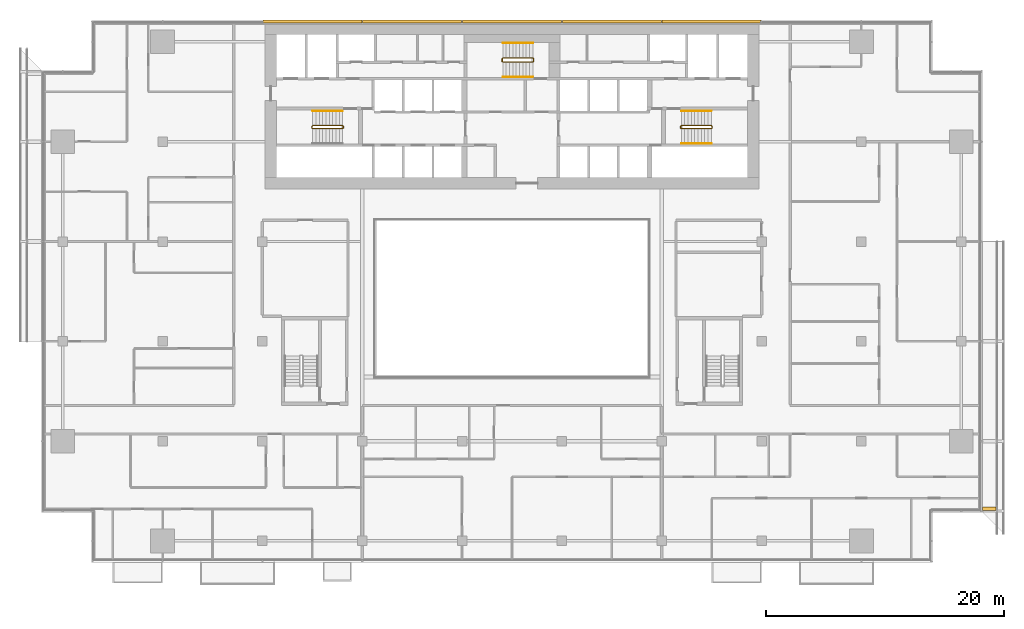
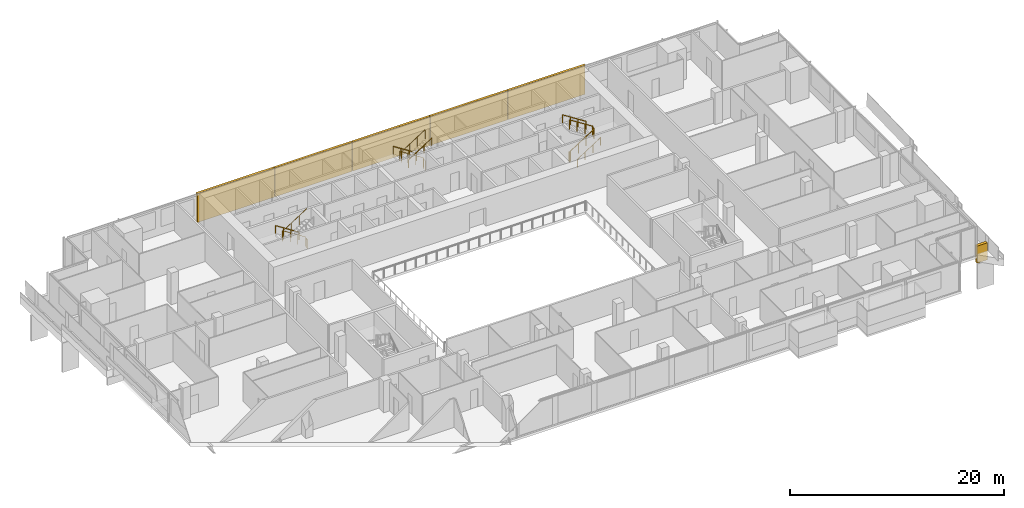
# One storey, part 26 of 27: 8 railings, 6 coverings.
"""IFC4 building model written with IfcOpenShell, lengths in metres."""

from ifc_helpers import new_model, si_unit, direction, frame, origin, origin_2d, place, context, subcontext, project, spatial, polyline, rectangle, circle, outline, extrude, material, layer, layer_set, type_object, element, save


model = new_model("IFC4")

# Units and contexts
model_context = context("Model", 3, precision=1e-05, world=origin(), true_north=direction((0.0, 1.0)))
body_context = subcontext(model_context, "Body", "Model", "MODEL_VIEW")
ifc_project = project(units=[si_unit("LENGTHUNIT", "METRE"), si_unit("AREAUNIT", "SQUARE_METRE"), si_unit("VOLUMEUNIT", "CUBIC_METRE"), si_unit("PLANEANGLEUNIT", "RADIAN"), si_unit("MASSUNIT", "GRAM", prefix="KILO")], contexts=[model_context])

# Site, building, storey
site_placement = place(None, origin())
site = spatial("IfcSite", under=ifc_project, at=site_placement, CompositionType="ELEMENT")
building_placement = place(site_placement, origin())
building = spatial("IfcBuilding", under=site, at=building_placement, Name="Saffron Gate Tower", CompositionType="ELEMENT")
storey_placement = place(building_placement, frame((0.0, 0.0, 109.64990234375)))
storey = spatial("IfcBuildingStorey", under=building, at=storey_placement, Name="L25", CompositionType="ELEMENT", Elevation=109.64990234375)

# Coverings
ifc_material_1 = material(Name="Ceramic-printed bronze insulated panel")
ifc_layer_1 = layer(ifc_material_1, 0.239990234375)
ifc_layer_set_1 = layer_set([ifc_layer_1], Name="CLD2 ceramic-printed cladding panel 240")
covering_type_1 = type_object("IfcCoveringType", Name="CLD2 ceramic-printed cladding panel 240", PredefinedType="CLADDING", material=ifc_layer_set_1)
covering_1_placement = place(storey_placement, origin())
element("IfcCovering", 1, at=covering_1_placement, inside=storey, type_object=covering_type_1, Name="CLADDING ceramic-printed panel", PredefinedType="CLADDING", context=body_context, shape_type="SweptSolid", body=[
    extrude(outline(polyline([(108.56494140625, 75.639892578125), (100.235107421875, 75.639892578125), (100.235107421875, 75.39990234375), (108.56494140625, 75.39990234375), (108.56494140625, 75.639892578125)])), origin(), (0.0, 0.0, 1.0), 3.320068359375),
])
covering_2_placement = place(storey_placement, origin())
element("IfcCovering", 2, at=covering_2_placement, inside=storey, type_object=covering_type_1, Name="CLADDING ceramic-printed panel", PredefinedType="CLADDING", context=body_context, shape_type="SweptSolid", body=[
    extrude(outline(polyline([(100.1650390625, 75.639892578125), (91.8349609375, 75.639892578125), (91.8349609375, 75.39990234375), (100.1650390625, 75.39990234375), (100.1650390625, 75.639892578125)])), origin(), (0.0, 0.0, 1.0), 3.320068359375),
])
covering_3_placement = place(storey_placement, origin())
element("IfcCovering", 3, at=covering_3_placement, inside=storey, type_object=covering_type_1, Name="CLADDING ceramic-printed panel", PredefinedType="CLADDING", context=body_context, shape_type="SweptSolid", body=[
    extrude(outline(polyline([(91.764892578125, 75.639892578125), (83.43505859375, 75.639892578125), (83.43505859375, 75.39990234375), (91.764892578125, 75.39990234375), (91.764892578125, 75.639892578125)])), origin(), (0.0, 0.0, 1.0), 3.320068359375),
])
covering_4_placement = place(storey_placement, origin())
element("IfcCovering", 4, at=covering_4_placement, inside=storey, type_object=covering_type_1, Name="CLADDING ceramic-printed panel", PredefinedType="CLADDING", context=body_context, shape_type="SweptSolid", body=[
    extrude(outline(polyline([(83.364990234375, 75.639892578125), (75.034912109375, 75.639892578125), (75.034912109375, 75.39990234375), (83.364990234375, 75.39990234375), (83.364990234375, 75.639892578125)])), origin(), (0.0, 0.0, 1.0), 3.320068359375),
])
covering_5_placement = place(storey_placement, origin())
element("IfcCovering", 5, at=covering_5_placement, inside=storey, type_object=covering_type_1, Name="CLADDING ceramic-printed panel", PredefinedType="CLADDING", context=body_context, shape_type="SweptSolid", body=[
    extrude(outline(polyline([(74.965087890625, 75.639892578125), (66.635009765625, 75.639892578125), (66.635009765625, 75.39990234375), (74.965087890625, 75.39990234375), (74.965087890625, 75.639892578125)])), origin(), (0.0, 0.0, 1.0), 3.320068359375),
])

# Railings
ifc_material_2 = material(Name="Stainless steel and laminated glass", Category="steel")
railing_type_1 = type_object("IfcRailingType", Name="CR1 Stair guard 1100", PredefinedType="GUARDRAIL", material=ifc_material_2)
railing_1_placement = place(storey_placement, frame((73.39990234375, 66.550048828125, 0.0)))
element("IfcRailing", 6, at=railing_1_placement, inside=storey, type_object=railing_type_1, Name="L25 ST-A stair guard 1", PredefinedType="GUARDRAIL", context=body_context, shape_type="SweptSolid", body=[
    extrude(circle(Radius=0.02392578125, at=origin_2d()), frame((0.0, 0.0, 1.076171875), z_axis=(0.0, 1.0, 0.0), x_axis=(-1.0, 0.0, 0.0)), (0.0, 0.0, 1.0), 0.14990234375),
    extrude(circle(Radius=0.02392578125, at=origin_2d()), frame((0.0, 0.14990234375, 1.076171875), z_axis=(-0.257366384619, 0.258627984543, 0.931060744355), x_axis=(-0.708833529934, -0.705375805398, 0.0)), (0.0, 0.0, 1.0), 0.193603515625),
    extrude(circle(Radius=0.02392578125, at=origin_2d()), frame((-0.0498046875, 0.199951171875, 1.25634765625), z_axis=(-0.841199657755, 0.0, 0.540724639528), x_axis=(0.0, -1.0, 0.0)), (0.0, 0.0, 1.0), 2.995849609375),
    extrude(circle(Radius=0.02392578125, at=origin_2d()), frame((-2.56982421875, 0.199951171875, 2.8759765625), z_axis=(-0.707106781187, -0.707106781187, 0.0), x_axis=(0.707106781187, -0.707106781187, 0.0)), (0.0, 0.0, 1.0), 0.07080078125),
    extrude(circle(Radius=0.02392578125, at=origin_2d()), frame((-2.619873046875, 0.14990234375, 2.8759765625), z_axis=(0.0, -1.0, 0.0), x_axis=(1.0, 0.0, 0.0)), (0.0, 0.0, 1.0), 0.14990234375),
    extrude(circle(Radius=0.02392578125, at=origin_2d()), frame((-2.619873046875, 0.0, 2.8759765625), z_axis=(0.258847668887, -0.258847668887, 0.930588936439), x_axis=(0.707106781187, 0.707106781187, 0.0)), (0.0, 0.0, 1.0), 0.193359375),
    extrude(circle(Radius=0.02392578125, at=origin_2d()), frame((-2.56982421875, -0.050048828125, 3.05615234375), z_axis=(0.841162588446, 0.0, 0.540782303519), x_axis=(0.0, 1.0, 0.0)), (0.0, 0.0, 1.0), 2.995849609375),
    extrude(circle(Radius=0.02099609375, at=origin_2d()), origin(), (0.0, 0.0, 1.0), 1.052001953125),
    extrude(circle(Radius=0.02099609375, at=origin_2d()), frame((0.0, 0.14990234375, 0.0)), (0.0, 0.0, 1.0), 1.052001953125),
    extrude(circle(Radius=0.02099609375, at=origin_2d()), frame((-0.0498046875, 0.199951171875, 0.18017578125)), (0.0, 0.0, 1.0), 1.052001953125),
    extrude(circle(Radius=0.02099609375, at=origin_2d()), frame((-0.889892578125, 0.199951171875, 0.72021484375)), (0.0, 0.0, 1.0), 1.052001953125),
    extrude(circle(Radius=0.02099609375, at=origin_2d()), frame((-1.729736328125, 0.199951171875, 1.260009765625)), (0.0, 0.0, 1.0), 1.052001953125),
    extrude(circle(Radius=0.02099609375, at=origin_2d()), frame((-2.56982421875, 0.199951171875, 1.800048828125)), (0.0, 0.0, 1.0), 1.052001953125),
    extrude(circle(Radius=0.02099609375, at=origin_2d()), frame((-2.619873046875, 0.14990234375, 1.800048828125)), (0.0, 0.0, 1.0), 1.052001953125),
    extrude(circle(Radius=0.02099609375, at=origin_2d()), frame((-2.619873046875, 0.0, 1.800048828125)), (0.0, 0.0, 1.0), 1.052001953125),
    extrude(circle(Radius=0.02099609375, at=origin_2d()), frame((-2.56982421875, -0.050048828125, 1.97998046875)), (0.0, 0.0, 1.0), 1.052001953125),
    extrude(circle(Radius=0.02099609375, at=origin_2d()), frame((-1.729736328125, -0.050048828125, 2.52001953125)), (0.0, 0.0, 1.0), 1.052001953125),
    extrude(circle(Radius=0.02099609375, at=origin_2d()), frame((-0.889892578125, -0.050048828125, 3.06005859375)), (0.0, 0.0, 1.0), 1.052001953125),
    extrude(circle(Radius=0.02099609375, at=origin_2d()), frame((-0.0498046875, -0.050048828125, 3.60009765625)), (0.0, 0.0, 1.0), 1.052001953125),
])
railing_2_placement = place(storey_placement, frame((101.800048828125, 66.699951171875, 0.0)))
element("IfcRailing", 7, at=railing_2_placement, inside=storey, type_object=railing_type_1, Name="L25 ST-B stair guard 1", PredefinedType="GUARDRAIL", context=body_context, shape_type="SweptSolid", body=[
    extrude(circle(Radius=0.02392578125, at=origin_2d()), frame((0.0, 0.0, 1.076171875), z_axis=(0.0, -1.0, 0.0), x_axis=(1.0, 0.0, 0.0)), (0.0, 0.0, 1.0), 0.14990234375),
    extrude(circle(Radius=0.02392578125, at=origin_2d()), frame((0.0, -0.14990234375, 1.076171875), z_axis=(0.258543844998, -0.258543844998, 0.930757841991), x_axis=(0.707106781187, 0.707106781187, 0.0)), (0.0, 0.0, 1.0), 0.193603515625),
    extrude(circle(Radius=0.02392578125, at=origin_2d()), frame((0.050048828125, -0.199951171875, 1.25634765625), z_axis=(0.841199657755, 0.0, 0.540724639528), x_axis=(0.0, 1.0, 0.0)), (0.0, 0.0, 1.0), 2.995849609375),
    extrude(circle(Radius=0.02392578125, at=origin_2d()), frame((2.570068359375, -0.199951171875, 2.8759765625), z_axis=(0.705375805398, 0.708833529934, 0.0), x_axis=(-0.708833529934, 0.705375805398, 0.0)), (0.0, 0.0, 1.0), 0.070556640625),
    extrude(circle(Radius=0.02392578125, at=origin_2d()), frame((2.619873046875, -0.14990234375, 2.8759765625), z_axis=(0.0, 1.0, 0.0), x_axis=(-1.0, 0.0, 0.0)), (0.0, 0.0, 1.0), 0.14990234375),
    extrude(circle(Radius=0.02392578125, at=origin_2d()), frame((2.619873046875, 0.0, 2.8759765625), z_axis=(-0.257669022063, 0.258932105505, 0.930892496375), x_axis=(-0.708833529934, -0.705375805398, 0.0)), (0.0, 0.0, 1.0), 0.193359375),
    extrude(circle(Radius=0.02392578125, at=origin_2d()), frame((2.570068359375, 0.050048828125, 3.05615234375), z_axis=(-0.841162588446, 0.0, 0.540782303519), x_axis=(0.0, -1.0, 0.0)), (0.0, 0.0, 1.0), 2.995849609375),
    extrude(circle(Radius=0.02099609375, at=origin_2d()), origin(), (0.0, 0.0, 1.0), 1.052001953125),
    extrude(circle(Radius=0.02099609375, at=origin_2d()), frame((0.0, -0.14990234375, 0.0)), (0.0, 0.0, 1.0), 1.052001953125),
    extrude(circle(Radius=0.02099609375, at=origin_2d()), frame((0.050048828125, -0.199951171875, 0.18017578125)), (0.0, 0.0, 1.0), 1.052001953125),
    extrude(circle(Radius=0.02099609375, at=origin_2d()), frame((0.89013671875, -0.199951171875, 0.72021484375)), (0.0, 0.0, 1.0), 1.052001953125),
    extrude(circle(Radius=0.02099609375, at=origin_2d()), frame((1.72998046875, -0.199951171875, 1.260009765625)), (0.0, 0.0, 1.0), 1.052001953125),
    extrude(circle(Radius=0.02099609375, at=origin_2d()), frame((2.570068359375, -0.199951171875, 1.800048828125)), (0.0, 0.0, 1.0), 1.052001953125),
    extrude(circle(Radius=0.02099609375, at=origin_2d()), frame((2.619873046875, -0.14990234375, 1.800048828125)), (0.0, 0.0, 1.0), 1.052001953125),
    extrude(circle(Radius=0.02099609375, at=origin_2d()), frame((2.619873046875, 0.0, 1.800048828125)), (0.0, 0.0, 1.0), 1.052001953125),
    extrude(circle(Radius=0.02099609375, at=origin_2d()), frame((2.570068359375, 0.050048828125, 1.97998046875)), (0.0, 0.0, 1.0), 1.052001953125),
    extrude(circle(Radius=0.02099609375, at=origin_2d()), frame((1.72998046875, 0.050048828125, 2.52001953125)), (0.0, 0.0, 1.0), 1.052001953125),
    extrude(circle(Radius=0.02099609375, at=origin_2d()), frame((0.89013671875, 0.050048828125, 3.06005859375)), (0.0, 0.0, 1.0), 1.052001953125),
    extrude(circle(Radius=0.02099609375, at=origin_2d()), frame((0.050048828125, 0.050048828125, 3.60009765625)), (0.0, 0.0, 1.0), 1.052001953125),
])
railing_3_placement = place(storey_placement, frame((89.39990234375, 72.14990234375, 0.0)))
element("IfcRailing", 8, at=railing_3_placement, inside=storey, type_object=railing_type_1, Name="L25 ST-C stair guard 1", PredefinedType="GUARDRAIL", context=body_context, shape_type="SweptSolid", body=[
    extrude(circle(Radius=0.02392578125, at=origin_2d()), frame((0.0, 0.0, 1.076171875), z_axis=(0.0, 1.0, 0.0), x_axis=(-1.0, 0.0, 0.0)), (0.0, 0.0, 1.0), 0.25),
    extrude(circle(Radius=0.02392578125, at=origin_2d()), frame((0.0, 0.25, 1.076171875), z_axis=(-0.257366384619, 0.258627984543, 0.931060744355), x_axis=(-0.708833529934, -0.705375805398, 0.0)), (0.0, 0.0, 1.0), 0.193603515625),
    extrude(circle(Radius=0.02392578125, at=origin_2d()), frame((-0.0498046875, 0.300048828125, 1.25634765625), z_axis=(-0.841199657755, 0.0, 0.540724639528), x_axis=(0.0, -1.0, 0.0)), (0.0, 0.0, 1.0), 2.995849609375),
    extrude(circle(Radius=0.02392578125, at=origin_2d()), frame((-2.56982421875, 0.300048828125, 2.8759765625), z_axis=(-0.707106781187, -0.707106781187, 0.0), x_axis=(0.707106781187, -0.707106781187, 0.0)), (0.0, 0.0, 1.0), 0.07080078125),
    extrude(circle(Radius=0.02392578125, at=origin_2d()), frame((-2.619873046875, 0.25, 2.8759765625), z_axis=(0.0, -1.0, 0.0), x_axis=(1.0, 0.0, 0.0)), (0.0, 0.0, 1.0), 0.25),
    extrude(circle(Radius=0.02392578125, at=origin_2d()), frame((-2.619873046875, 0.0, 2.8759765625), z_axis=(0.258932105505, -0.257669022063, 0.930892496375), x_axis=(0.705375805398, 0.708833529934, 0.0)), (0.0, 0.0, 1.0), 0.193359375),
    extrude(circle(Radius=0.02392578125, at=origin_2d()), frame((-2.56982421875, -0.0498046875, 3.05615234375), z_axis=(0.841162588446, 0.0, 0.540782303519), x_axis=(0.0, 1.0, 0.0)), (0.0, 0.0, 1.0), 2.995849609375),
    extrude(circle(Radius=0.02099609375, at=origin_2d()), origin(), (0.0, 0.0, 1.0), 1.052001953125),
    extrude(circle(Radius=0.02099609375, at=origin_2d()), frame((0.0, 0.25, 0.0)), (0.0, 0.0, 1.0), 1.052001953125),
    extrude(circle(Radius=0.02099609375, at=origin_2d()), frame((-0.0498046875, 0.300048828125, 0.18017578125)), (0.0, 0.0, 1.0), 1.052001953125),
    extrude(circle(Radius=0.02099609375, at=origin_2d()), frame((-0.889892578125, 0.300048828125, 0.72021484375)), (0.0, 0.0, 1.0), 1.052001953125),
    extrude(circle(Radius=0.02099609375, at=origin_2d()), frame((-1.729736328125, 0.300048828125, 1.260009765625)), (0.0, 0.0, 1.0), 1.052001953125),
    extrude(circle(Radius=0.02099609375, at=origin_2d()), frame((-2.56982421875, 0.300048828125, 1.800048828125)), (0.0, 0.0, 1.0), 1.052001953125),
    extrude(circle(Radius=0.02099609375, at=origin_2d()), frame((-2.619873046875, 0.25, 1.800048828125)), (0.0, 0.0, 1.0), 1.052001953125),
    extrude(circle(Radius=0.02099609375, at=origin_2d()), frame((-2.619873046875, 0.0, 1.800048828125)), (0.0, 0.0, 1.0), 1.052001953125),
    extrude(circle(Radius=0.02099609375, at=origin_2d()), frame((-2.56982421875, -0.0498046875, 1.97998046875)), (0.0, 0.0, 1.0), 1.052001953125),
    extrude(circle(Radius=0.02099609375, at=origin_2d()), frame((-1.729736328125, -0.0498046875, 2.52001953125)), (0.0, 0.0, 1.0), 1.052001953125),
    extrude(circle(Radius=0.02099609375, at=origin_2d()), frame((-0.889892578125, -0.0498046875, 3.06005859375)), (0.0, 0.0, 1.0), 1.052001953125),
    extrude(circle(Radius=0.02099609375, at=origin_2d()), frame((-0.0498046875, -0.0498046875, 3.60009765625)), (0.0, 0.0, 1.0), 1.052001953125),
])
ifc_material_3 = material(Name="Stainless steel", Category="steel")
railing_type_2 = type_object("IfcRailingType", Name="CR2 Stair handrail 900", PredefinedType="HANDRAIL", material=ifc_material_3)
railing_4_placement = place(storey_placement, frame((73.35009765625, 68.0, 0.18017578125)))
element("IfcRailing", 9, at=railing_4_placement, inside=storey, type_object=railing_type_2, Name="L25 ST-A stair handrail 1", PredefinedType="HANDRAIL", context=body_context, shape_type="SweptSolid", body=[
    extrude(circle(Radius=0.02392578125, at=origin_2d()), frame((0.0, 0.0, 0.8759765625), z_axis=(-0.841199657755, 0.0, 0.540724639528), x_axis=(0.0, -1.0, 0.0)), (0.0, 0.0, 1.0), 2.995849609375),
    extrude(circle(Radius=0.02099609375, at=origin_2d()), origin(), (0.0, 0.0, 1.0), 0.851806640625),
    extrude(circle(Radius=0.02099609375, at=origin_2d()), frame((-0.840087890625, 0.0, 0.5400390625)), (0.0, 0.0, 1.0), 0.851806640625),
    extrude(circle(Radius=0.02099609375, at=origin_2d()), frame((-1.679931640625, 0.0, 1.079833984375)), (0.0, 0.0, 1.0), 0.851806640625),
    extrude(circle(Radius=0.02099609375, at=origin_2d()), frame((-2.52001953125, 0.0, 1.619873046875)), (0.0, 0.0, 1.0), 0.851806640625),
])
railing_5_placement = place(storey_placement, frame((101.85009765625, 65.25, 0.18017578125)))
element("IfcRailing", 10, at=railing_5_placement, inside=storey, type_object=railing_type_2, Name="L25 ST-B stair handrail 1", PredefinedType="HANDRAIL", context=body_context, shape_type="SweptSolid", body=[
    extrude(circle(Radius=0.02392578125, at=origin_2d()), frame((0.0, 0.0, 0.8759765625), z_axis=(0.841199657755, 0.0, 0.540724639528), x_axis=(0.0, 1.0, 0.0)), (0.0, 0.0, 1.0), 2.995849609375),
    extrude(circle(Radius=0.02099609375, at=origin_2d()), origin(), (0.0, 0.0, 1.0), 0.851806640625),
    extrude(circle(Radius=0.02099609375, at=origin_2d()), frame((0.840087890625, 0.0, 0.5400390625)), (0.0, 0.0, 1.0), 0.851806640625),
    extrude(circle(Radius=0.02099609375, at=origin_2d()), frame((1.679931640625, 0.0, 1.079833984375)), (0.0, 0.0, 1.0), 0.851806640625),
    extrude(circle(Radius=0.02099609375, at=origin_2d()), frame((2.52001953125, 0.0, 1.619873046875)), (0.0, 0.0, 1.0), 0.851806640625),
])
railing_6_placement = place(storey_placement, frame((104.3701171875, 68.0, 1.97998046875)))
element("IfcRailing", 11, at=railing_6_placement, inside=storey, type_object=railing_type_2, Name="L25 ST-B stair handrail 2", PredefinedType="HANDRAIL", context=body_context, shape_type="SweptSolid", body=[
    extrude(circle(Radius=0.02392578125, at=origin_2d()), frame((0.0, 0.0, 0.8759765625), z_axis=(-0.841162588446, 0.0, 0.540782303519), x_axis=(0.0, -1.0, 0.0)), (0.0, 0.0, 1.0), 2.995849609375),
    extrude(circle(Radius=0.02099609375, at=origin_2d()), origin(), (0.0, 0.0, 1.0), 0.851806640625),
    extrude(circle(Radius=0.02099609375, at=origin_2d()), frame((-0.840087890625, 0.0, 0.5400390625)), (0.0, 0.0, 1.0), 0.851806640625),
    extrude(circle(Radius=0.02099609375, at=origin_2d()), frame((-1.679931640625, 0.0, 1.080078125)), (0.0, 0.0, 1.0), 0.851806640625),
    extrude(circle(Radius=0.02099609375, at=origin_2d()), frame((-2.52001953125, 0.0, 1.6201171875)), (0.0, 0.0, 1.0), 0.851806640625),
])
railing_7_placement = place(storey_placement, frame((89.35009765625, 73.699951171875, 0.18017578125)))
element("IfcRailing", 12, at=railing_7_placement, inside=storey, type_object=railing_type_2, Name="L25 ST-C stair handrail 1", PredefinedType="HANDRAIL", context=body_context, shape_type="SweptSolid", body=[
    extrude(circle(Radius=0.02392578125, at=origin_2d()), frame((0.0, 0.0, 0.8759765625), z_axis=(-0.841199657755, 0.0, 0.540724639528), x_axis=(0.0, -1.0, 0.0)), (0.0, 0.0, 1.0), 2.995849609375),
    extrude(circle(Radius=0.02099609375, at=origin_2d()), origin(), (0.0, 0.0, 1.0), 0.851806640625),
    extrude(circle(Radius=0.02099609375, at=origin_2d()), frame((-0.840087890625, 0.0, 0.5400390625)), (0.0, 0.0, 1.0), 0.851806640625),
    extrude(circle(Radius=0.02099609375, at=origin_2d()), frame((-1.679931640625, 0.0, 1.079833984375)), (0.0, 0.0, 1.0), 0.851806640625),
    extrude(circle(Radius=0.02099609375, at=origin_2d()), frame((-2.52001953125, 0.0, 1.619873046875)), (0.0, 0.0, 1.0), 0.851806640625),
])
railing_8_placement = place(storey_placement, frame((86.830078125, 70.85009765625, 1.97998046875)))
element("IfcRailing", 13, at=railing_8_placement, inside=storey, type_object=railing_type_2, Name="L25 ST-C stair handrail 2", PredefinedType="HANDRAIL", context=body_context, shape_type="SweptSolid", body=[
    extrude(circle(Radius=0.02392578125, at=origin_2d()), frame((0.0, 0.0, 0.8759765625), z_axis=(0.841162588446, 0.0, 0.540782303519), x_axis=(0.0, 1.0, 0.0)), (0.0, 0.0, 1.0), 2.995849609375),
    extrude(circle(Radius=0.02099609375, at=origin_2d()), origin(), (0.0, 0.0, 1.0), 0.851806640625),
    extrude(circle(Radius=0.02099609375, at=origin_2d()), frame((0.840087890625, 0.0, 0.5400390625)), (0.0, 0.0, 1.0), 0.851806640625),
    extrude(circle(Radius=0.02099609375, at=origin_2d()), frame((1.679931640625, 0.0, 1.080078125)), (0.0, 0.0, 1.0), 0.851806640625),
    extrude(circle(Radius=0.02099609375, at=origin_2d()), frame((2.52001953125, 0.0, 1.6201171875)), (0.0, 0.0, 1.0), 0.851806640625),
])

# Covering
ifc_material_4 = material(Name="Timber, thermally modified ash", Category="wood")
ifc_layer_2 = layer(ifc_material_4, 0.300048828125)
ifc_layer_set_2 = layer_set([ifc_layer_2], Name="LD3 ledge riser fin")
covering_type_2 = type_object("IfcCoveringType", Name="LD3 ledge riser fin", PredefinedType="CLADDING", material=ifc_layer_set_2)
covering_6_placement = place(storey_placement, frame((127.760009765625, 34.5, -0.9580078125), z_axis=(0.0, 0.0, 1.0), x_axis=(0.0, 1.0, 0.0)))
element("IfcCovering", 14, at=covering_6_placement, inside=storey, type_object=covering_type_2, Name="LEDGE riser fin", PredefinedType="CLADDING", context=body_context, shape_type="SweptSolid", body=[
    extrude(rectangle(XDim=0.300048828125, YDim=1.1201171875, at=origin_2d()), origin(), (0.0, 0.0, 1.0), 1.957275390625),
])

save(model, "model.ifc")
